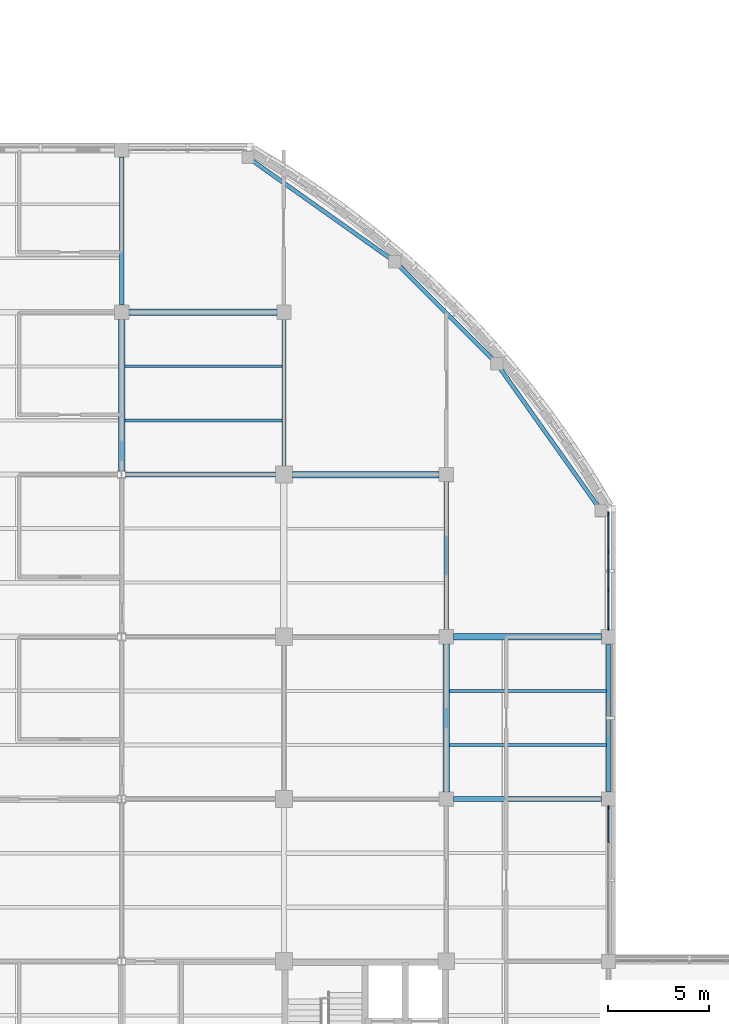
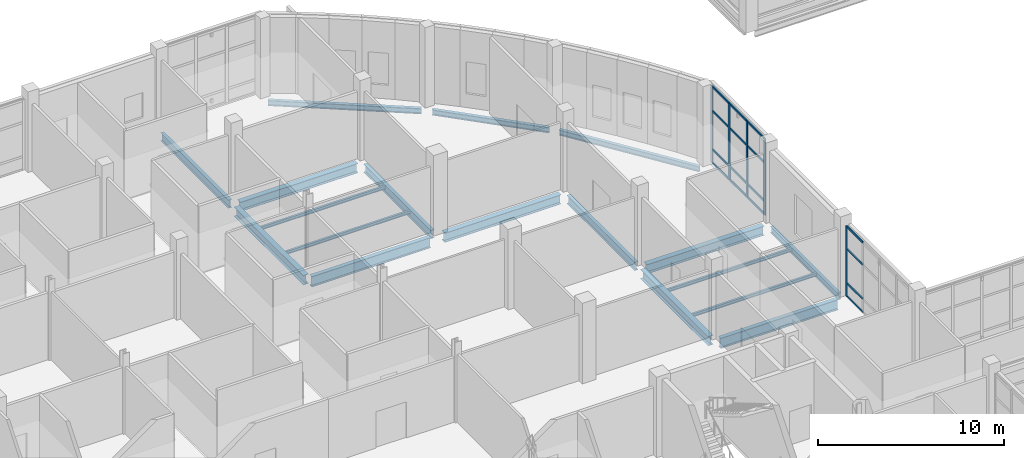
# One storey, part 31 of 105: 21 members, 18 beams, 2 elements without a shape of their own.
"""IFC4 building model written with IfcOpenShell, lengths in metres."""

from ifc_helpers import new_model, si_unit, derived_unit, direction, frame, origin, origin_2d, place, context, subcontext, project, spatial, rectangle, i_section, extrude, material, layer, layer_set, material_profile, profile_set, type_object, element, aggregate, save


model = new_model("IFC4")

# Units and contexts
model_context = context("Model", 3, precision=1e-05, world=origin(), true_north=direction((0.0, 1.0)))
body_context = subcontext(model_context, "Body", "Model", "MODEL_VIEW")
ifc_project = project(units=[si_unit("LENGTHUNIT", "METRE"), si_unit("AREAUNIT", "SQUARE_METRE"), si_unit("VOLUMEUNIT", "CUBIC_METRE"), si_unit("PLANEANGLEUNIT", "RADIAN"), si_unit("MASSUNIT", "GRAM", prefix="KILO"), derived_unit("THERMALTRANSMITTANCEUNIT", [(si_unit("MASSUNIT", "GRAM", prefix="KILO"), 1), (si_unit("TIMEUNIT", "SECOND"), -3), (si_unit("THERMODYNAMICTEMPERATUREUNIT", "KELVIN"), -1)])], contexts=[model_context])

# Site, building, storey
site_placement = place(None, origin())
site = spatial("IfcSite", under=ifc_project, at=site_placement, CompositionType="ELEMENT")
building_placement = place(site_placement, origin())
building = spatial("IfcBuilding", under=site, at=building_placement, Name="Veyamyaing Civic Hall", CompositionType="ELEMENT")
storey_placement = place(building_placement, origin())
storey = spatial("IfcBuildingStorey", under=building, at=storey_placement, Name="L00", CompositionType="ELEMENT", Elevation=0.0)

# Beams
ifc_material_1 = material(Name="Steel ASTM A992", Category="steel")
ifc_material_profile_1 = material_profile(ifc_material_1, i_section(OverallWidth=0.179931640625, OverallDepth=0.4130859375, WebThickness=0.009765625, FlangeThickness=0.01611328125, FilletRadius=0.010009765625, at=origin_2d()), Name="W410X74")
ifc_profile_set_1 = profile_set([ifc_material_profile_1], Name="Steel ASTM A992")
beam_type_1 = type_object("IfcBeamType", Name="B-10", PredefinedType="SPANDREL", material=ifc_profile_set_1)
beam_1_placement = place(storey_placement, frame((120.0, 64.35009765625, -0.471435546875), z_axis=(0.0, 1.0, 0.0), x_axis=(-1.0, 0.0, 0.0)))
element("IfcBeam", 1, at=beam_1_placement, inside=storey, type_object=beam_type_1, Name="Girder B-10 L00 Grid 16 J-K", PredefinedType="SPANDREL", context=body_context, shape_type="SweptSolid", body=[
    extrude(i_section(OverallWidth=0.179931640625, OverallDepth=0.4130859375, WebThickness=0.009765625, FlangeThickness=0.01611328125, FilletRadius=0.010009765625, at=origin_2d()), origin(), (0.0, 0.0, 1.0), 7.2998046875),
])
ifc_material_profile_2 = material_profile(ifc_material_1, i_section(OverallWidth=0.2041015625, OverallDepth=0.35009765625, WebThickness=0.0078125, FlangeThickness=0.01513671875, FilletRadius=0.010009765625, at=origin_2d()), Name="W360X72")
ifc_profile_set_2 = profile_set([ifc_material_profile_2], Name="Steel ASTM A992")
beam_type_2 = type_object("IfcBeamType", Name="B-11", PredefinedType="SPANDREL", material=ifc_profile_set_2)
beam_2_placement = place(storey_placement, frame((119.462646484375, 78.46533203125, -0.449951171875), z_axis=(-0.578662285773, 0.815567262109, 0.0), x_axis=(-0.815567262109, -0.578662285773, 0.0)))
element("IfcBeam", 2, at=beam_2_placement, inside=storey, type_object=beam_type_2, Name="Curved corner spandrel B-11 L00 NE.1", PredefinedType="SPANDREL", context=body_context, shape_type="SweptSolid", body=[
    extrude(i_section(OverallWidth=0.2041015625, OverallDepth=0.35009765625, WebThickness=0.0078125, FlangeThickness=0.01513671875, FilletRadius=0.010009765625, at=origin_2d()), origin(), (0.0, 0.0, 1.0), 8.284423828125),
])
beam_3_placement = place(storey_placement, frame((114.282958984375, 85.6787109375, -0.449951171875), z_axis=(-0.707106781187, 0.707106781187, 0.0), x_axis=(-0.707106781187, -0.707106781187, 0.0)))
element("IfcBeam", 3, at=beam_3_placement, inside=storey, type_object=beam_type_2, Name="Curved corner spandrel B-11 L00 NE.2", PredefinedType="SPANDREL", context=body_context, shape_type="SweptSolid", body=[
    extrude(i_section(OverallWidth=0.2041015625, OverallDepth=0.35009765625, WebThickness=0.0078125, FlangeThickness=0.01513671875, FilletRadius=0.010009765625, at=origin_2d()), origin(), (0.0, 0.0, 1.0), 6.511474609375),
])
beam_4_placement = place(storey_placement, frame((109.221923828125, 90.668701171875, -0.449951171875), z_axis=(-0.815567262109, 0.578662285773, 0.0), x_axis=(-0.578662285773, -0.815567262109, 0.0)))
element("IfcBeam", 4, at=beam_4_placement, inside=storey, type_object=beam_type_2, Name="Curved corner spandrel B-11 L00 NE.3", PredefinedType="SPANDREL", context=body_context, shape_type="SweptSolid", body=[
    extrude(i_section(OverallWidth=0.2041015625, OverallDepth=0.35009765625, WebThickness=0.0078125, FlangeThickness=0.01513671875, FilletRadius=0.010009765625, at=origin_2d()), origin(), (0.0, 0.0, 1.0), 8.284423828125),
])
ifc_material_profile_3 = material_profile(ifc_material_1, i_section(OverallWidth=0.25390625, OverallDepth=0.68408203125, WebThickness=0.012451171875, FlangeThickness=0.01904296875, FilletRadius=0.013916015625, at=origin_2d()), Name="W690X140")
ifc_profile_set_3 = profile_set([ifc_material_profile_3], Name="Steel ASTM A992")
beam_type_3 = type_object("IfcBeamType", Name="B-14", PredefinedType="BEAM", material=ifc_profile_set_3)
beam_5_placement = place(storey_placement, frame((112.35009765625, 64.0, -0.60693359375), z_axis=(1.0, 0.0, 0.0), x_axis=(0.0, 1.0, 0.0)))
element("IfcBeam", 5, at=beam_5_placement, inside=storey, type_object=beam_type_3, Name="Girder B-14 L00 Grid J 15-16", PredefinedType="BEAM", context=body_context, shape_type="SweptSolid", body=[
    extrude(i_section(OverallWidth=0.25390625, OverallDepth=0.68408203125, WebThickness=0.012451171875, FlangeThickness=0.01904296875, FilletRadius=0.013916015625, at=origin_2d()), origin(), (0.0, 0.0, 1.0), 7.2998046875),
])
beam_6_placement = place(storey_placement, frame((96.198974609375, 80.0, -0.60693359375), z_axis=(1.0, 0.0, 0.0), x_axis=(0.0, 1.0, 0.0)))
element("IfcBeam", 6, at=beam_6_placement, inside=storey, type_object=beam_type_3, Name="Girder B-14 L00 Grid L 13-14", PredefinedType="BEAM", context=body_context, shape_type="SweptSolid", body=[
    extrude(i_section(OverallWidth=0.25390625, OverallDepth=0.68408203125, WebThickness=0.012451171875, FlangeThickness=0.01904296875, FilletRadius=0.013916015625, at=origin_2d()), origin(), (0.0, 0.0, 1.0), 7.3759765625),
])
ifc_material_profile_4 = material_profile(ifc_material_1, i_section(OverallWidth=0.324951171875, OverallDepth=0.615966796875, WebThickness=0.013916015625, FlangeThickness=0.021484375, FilletRadius=0.013916015625, at=origin_2d()), Name="W610X174")
ifc_profile_set_4 = profile_set([ifc_material_profile_4], Name="Steel ASTM A992")
beam_type_4 = type_object("IfcBeamType", Name="B-15", PredefinedType="BEAM", material=ifc_profile_set_4)
beam_7_placement = place(storey_placement, frame((112.35009765625, 72.0, -0.572998046875), z_axis=(1.0, 0.0, 0.0), x_axis=(0.0, 1.0, 0.0)))
element("IfcBeam", 7, at=beam_7_placement, inside=storey, type_object=beam_type_4, Name="Girder B-15 L00 Grid K 15-16", PredefinedType="BEAM", context=body_context, shape_type="SweptSolid", body=[
    extrude(i_section(OverallWidth=0.324951171875, OverallDepth=0.615966796875, WebThickness=0.013916015625, FlangeThickness=0.021484375, FilletRadius=0.013916015625, at=origin_2d()), origin(), (0.0, 0.0, 1.0), 7.2998046875),
])
beam_8_placement = place(storey_placement, frame((104.425048828125, 80.0, -0.572998046875), z_axis=(1.0, 0.0, 0.0), x_axis=(0.0, 1.0, 0.0)))
element("IfcBeam", 8, at=beam_8_placement, inside=storey, type_object=beam_type_4, Name="Girder B-15 L00 Grid L 14-15", PredefinedType="BEAM", context=body_context, shape_type="SweptSolid", body=[
    extrude(i_section(OverallWidth=0.324951171875, OverallDepth=0.615966796875, WebThickness=0.013916015625, FlangeThickness=0.021484375, FilletRadius=0.013916015625, at=origin_2d()), origin(), (0.0, 0.0, 1.0), 7.224853515625),
])
beam_9_placement = place(storey_placement, frame((96.35009765625, 88.0, -0.572998046875), z_axis=(1.0, 0.0, 0.0), x_axis=(0.0, 1.0, 0.0)))
element("IfcBeam", 9, at=beam_9_placement, inside=storey, type_object=beam_type_4, Name="Girder B-15 L00 Grid M 13-14", PredefinedType="BEAM", context=body_context, shape_type="SweptSolid", body=[
    extrude(i_section(OverallWidth=0.324951171875, OverallDepth=0.615966796875, WebThickness=0.013916015625, FlangeThickness=0.021484375, FilletRadius=0.013916015625, at=origin_2d()), origin(), (0.0, 0.0, 1.0), 7.2998046875),
])
beam_10_placement = place(storey_placement, frame((96.0, 80.193603515625, -0.572998046875), z_axis=(0.0, 1.0, 0.0), x_axis=(-1.0, 0.0, 0.0)))
element("IfcBeam", 10, at=beam_10_placement, inside=storey, type_object=beam_type_4, Name="Girder B-15 L00 Grid 13 L-M", PredefinedType="BEAM", context=body_context, shape_type="SweptSolid", body=[
    extrude(i_section(OverallWidth=0.324951171875, OverallDepth=0.615966796875, WebThickness=0.013916015625, FlangeThickness=0.021484375, FilletRadius=0.013916015625, at=origin_2d()), origin(), (0.0, 0.0, 1.0), 7.456298828125),
])
beam_11_placement = place(storey_placement, frame((112.0, 64.35009765625, -0.572998046875), z_axis=(0.0, 1.0, 0.0), x_axis=(-1.0, 0.0, 0.0)))
element("IfcBeam", 11, at=beam_11_placement, inside=storey, type_object=beam_type_4, Name="Girder B-15 L00 Grid 15 J-K", PredefinedType="BEAM", context=body_context, shape_type="SweptSolid", body=[
    extrude(i_section(OverallWidth=0.324951171875, OverallDepth=0.615966796875, WebThickness=0.013916015625, FlangeThickness=0.021484375, FilletRadius=0.013916015625, at=origin_2d()), origin(), (0.0, 0.0, 1.0), 7.2998046875),
])
ifc_material_profile_5 = material_profile(ifc_material_1, i_section(OverallWidth=0.214111328125, OverallDepth=0.549072265625, WebThickness=0.0146484375, FlangeThickness=0.023681640625, FilletRadius=0.011962890625, at=origin_2d()), Name="W530X138")
ifc_profile_set_5 = profile_set([ifc_material_profile_5], Name="Steel ASTM A992")
beam_type_5 = type_object("IfcBeamType", Name="B-16", PredefinedType="BEAM", material=ifc_profile_set_5)
beam_12_placement = place(storey_placement, frame((96.0, 88.35009765625, -0.53955078125), z_axis=(0.0, 1.0, 0.0), x_axis=(-1.0, 0.0, 0.0)))
element("IfcBeam", 12, at=beam_12_placement, inside=storey, type_object=beam_type_5, Name="Girder B-16 L00 Grid 13 M-N", PredefinedType="BEAM", context=body_context, shape_type="SweptSolid", body=[
    extrude(i_section(OverallWidth=0.214111328125, OverallDepth=0.549072265625, WebThickness=0.0146484375, FlangeThickness=0.023681640625, FilletRadius=0.011962890625, at=origin_2d()), origin(), (0.0, 0.0, 1.0), 7.2998046875),
])
beam_13_placement = place(storey_placement, frame((104.0, 80.425048828125, -0.53955078125), z_axis=(0.0, 1.0, 0.0), x_axis=(-1.0, 0.0, 0.0)))
element("IfcBeam", 13, at=beam_13_placement, inside=storey, type_object=beam_type_5, Name="Girder B-16 L00 Grid 14 L-M", PredefinedType="BEAM", context=body_context, shape_type="SweptSolid", body=[
    extrude(i_section(OverallWidth=0.214111328125, OverallDepth=0.549072265625, WebThickness=0.0146484375, FlangeThickness=0.023681640625, FilletRadius=0.011962890625, at=origin_2d()), origin(), (0.0, 0.0, 1.0), 7.224853515625),
])
beam_14_placement = place(storey_placement, frame((112.0, 72.35009765625, -0.53955078125), z_axis=(0.0, 1.0, 0.0), x_axis=(-1.0, 0.0, 0.0)))
element("IfcBeam", 14, at=beam_14_placement, inside=storey, type_object=beam_type_5, Name="Girder B-16 L00 Grid 15 K-L", PredefinedType="BEAM", context=body_context, shape_type="SweptSolid", body=[
    extrude(i_section(OverallWidth=0.214111328125, OverallDepth=0.549072265625, WebThickness=0.0146484375, FlangeThickness=0.023681640625, FilletRadius=0.011962890625, at=origin_2d()), origin(), (0.0, 0.0, 1.0), 7.2998046875),
])

# Curtain wall, member
ifc_material_2 = material(Name="Anodised aluminium 6063-T6", Category="aluminium")
ifc_layer = layer(ifc_material_2, 0.179931640625, Name="Anodised aluminium 6063-T6")
ifc_layer_set = layer_set([ifc_layer], Name="Anodised aluminium 6063-T6")
curtain_wall_type = type_object("IfcCurtainWallType", Name="CW-06", PredefinedType="NOTDEFINED", material=ifc_layer_set)
curtain_wall_1_placement = place(storey_placement, origin())
curtain_wall_1 = element("IfcCurtainWall", 15, at=curtain_wall_1_placement, inside=storey, type_object=curtain_wall_type, Name="Unitized curtain wall CW-06 L00 E 15.8", PredefinedType="NOTDEFINED")
ifc_material_profile_6 = material_profile(ifc_material_2, rectangle(XDim=0.06494140625, YDim=0.179931640625, at=origin_2d()), Name="ALU-MUL-65X180")
ifc_profile_set_6 = profile_set([ifc_material_profile_6], Name="Anodised aluminium 6063-T6")
member_type_1 = type_object("IfcMemberType", Name="CWM-02", PredefinedType="MULLION", material=ifc_profile_set_6)
member_1_placement = place(storey_placement, frame((120.0, 63.58740234375, 0.0), z_axis=(0.0, 0.0, 1.0), x_axis=(-1.0, 0.0, 0.0)))
member_1 = element("IfcMember", 16, at=member_1_placement, type_object=member_type_1, Name="CW-06 mullion 5", PredefinedType="MULLION", context=body_context, shape_type="SweptSolid", body=[
    extrude(rectangle(XDim=0.06494140625, YDim=0.179931640625, at=origin_2d()), origin(), (0.0, 0.0, 1.0), 4.614013671875),
])

# Curtain wall, members
curtain_wall_2_placement = place(storey_placement, origin())
curtain_wall_2 = element("IfcCurtainWall", 17, at=curtain_wall_2_placement, inside=storey, type_object=curtain_wall_type, Name="Unitized curtain wall CW-06 L00 E 15.10", PredefinedType="NOTDEFINED")
member_2_placement = place(storey_placement, frame((120.0, 72.41259765625, 0.0), z_axis=(0.0, 0.0, 1.0), x_axis=(-1.0, 0.0, 0.0)))
member_2 = element("IfcMember", 18, at=member_2_placement, type_object=member_type_1, Name="CW-06 mullion 1", PredefinedType="MULLION", context=body_context, shape_type="SweptSolid", body=[
    extrude(rectangle(XDim=0.06494140625, YDim=0.179931640625, at=origin_2d()), origin(), (0.0, 0.0, 1.0), 5.034912109375),
])
member_3_placement = place(storey_placement, frame((120.0, 74.286865234375, 0.0), z_axis=(0.0, 0.0, 1.0), x_axis=(-1.0, 0.0, 0.0)))
member_3 = element("IfcMember", 19, at=member_3_placement, type_object=member_type_1, Name="CW-06 mullion 2", PredefinedType="MULLION", context=body_context, shape_type="SweptSolid", body=[
    extrude(rectangle(XDim=0.06494140625, YDim=0.179931640625, at=origin_2d()), origin(), (0.0, 0.0, 1.0), 5.034912109375),
])
member_4_placement = place(storey_placement, frame((120.0, 76.19384765625, 0.0), z_axis=(0.0, 0.0, 1.0), x_axis=(-1.0, 0.0, 0.0)))
member_4 = element("IfcMember", 20, at=member_4_placement, type_object=member_type_1, Name="CW-06 mullion 3", PredefinedType="MULLION", context=body_context, shape_type="SweptSolid", body=[
    extrude(rectangle(XDim=0.06494140625, YDim=0.179931640625, at=origin_2d()), origin(), (0.0, 0.0, 1.0), 5.034912109375),
])
member_5_placement = place(storey_placement, frame((120.0, 78.068359375, 0.0), z_axis=(0.0, 0.0, 1.0), x_axis=(-1.0, 0.0, 0.0)))
member_5 = element("IfcMember", 21, at=member_5_placement, type_object=member_type_1, Name="CW-06 mullion 4", PredefinedType="MULLION", context=body_context, shape_type="SweptSolid", body=[
    extrude(rectangle(XDim=0.06494140625, YDim=0.179931640625, at=origin_2d()), origin(), (0.0, 0.0, 1.0), 5.034912109375),
])

# Member
ifc_material_profile_7 = material_profile(ifc_material_2, rectangle(XDim=0.06494140625, YDim=0.139892578125, at=origin_2d()), Name="ALU-TRN-65X140")
ifc_profile_set_7 = profile_set([ifc_material_profile_7], Name="Anodised aluminium 6063-T6")
member_type_2 = type_object("IfcMemberType", Name="CWT-02", PredefinedType="USERDEFINED", material=ifc_profile_set_7)
member_6_placement = place(storey_placement, frame((120.0, 61.842529296875, 0.032470703125), z_axis=(0.0, 1.0, 0.0), x_axis=(-1.0, 0.0, 0.0)))
member_6 = element("IfcMember", 22, at=member_6_placement, type_object=member_type_2, Name="CW-06 transom 4.1", ObjectType="TRANSOM", PredefinedType="USERDEFINED", context=body_context, shape_type="SweptSolid", body=[
    extrude(rectangle(XDim=0.06494140625, YDim=0.139892578125, at=origin_2d()), origin(), (0.0, 0.0, 1.0), 1.71240234375),
])

member_7_placement = place(storey_placement, frame((120.0, 61.842529296875, 0.89990234375), z_axis=(0.0, 1.0, 0.0), x_axis=(-1.0, 0.0, 0.0)))
member_7 = element("IfcMember", 23, at=member_7_placement, type_object=member_type_2, Name="CW-06 transom 4.2", ObjectType="TRANSOM", PredefinedType="USERDEFINED", context=body_context, shape_type="SweptSolid", body=[
    extrude(rectangle(XDim=0.06494140625, YDim=0.139892578125, at=origin_2d()), origin(), (0.0, 0.0, 1.0), 1.71240234375),
])

member_8_placement = place(storey_placement, frame((120.0, 61.842529296875, 3.137451171875), z_axis=(0.0, 1.0, 0.0), x_axis=(-1.0, 0.0, 0.0)))
member_8 = element("IfcMember", 24, at=member_8_placement, type_object=member_type_2, Name="CW-06 transom 4.3", ObjectType="TRANSOM", PredefinedType="USERDEFINED", context=body_context, shape_type="SweptSolid", body=[
    extrude(rectangle(XDim=0.06494140625, YDim=0.139892578125, at=origin_2d()), origin(), (0.0, 0.0, 1.0), 1.71240234375),
])

member_9_placement = place(storey_placement, frame((120.0, 61.842529296875, 4.58154296875), z_axis=(0.0, 1.0, 0.0), x_axis=(-1.0, 0.0, 0.0)))
member_9 = element("IfcMember", 25, at=member_9_placement, type_object=member_type_2, Name="CW-06 transom 4.4", ObjectType="TRANSOM", PredefinedType="USERDEFINED", context=body_context, shape_type="SweptSolid", body=[
    extrude(rectangle(XDim=0.06494140625, YDim=0.139892578125, at=origin_2d()), origin(), (0.0, 0.0, 1.0), 1.71240234375),
])

aggregate(curtain_wall_1, [member_1, member_6, member_7, member_8, member_9])

member_10_placement = place(storey_placement, frame((120.0, 72.445068359375, 0.032470703125), z_axis=(0.0, 1.0, 0.0), x_axis=(-1.0, 0.0, 0.0)))
member_10 = element("IfcMember", 26, at=member_10_placement, type_object=member_type_2, Name="CW-06 transom 1.1", ObjectType="TRANSOM", PredefinedType="USERDEFINED", context=body_context, shape_type="SweptSolid", body=[
    extrude(rectangle(XDim=0.06494140625, YDim=0.139892578125, at=origin_2d()), origin(), (0.0, 0.0, 1.0), 1.809326171875),
])

member_11_placement = place(storey_placement, frame((120.0, 72.445068359375, 0.89990234375), z_axis=(0.0, 1.0, 0.0), x_axis=(-1.0, 0.0, 0.0)))
member_11 = element("IfcMember", 27, at=member_11_placement, type_object=member_type_2, Name="CW-06 transom 1.2", ObjectType="TRANSOM", PredefinedType="USERDEFINED", context=body_context, shape_type="SweptSolid", body=[
    extrude(rectangle(XDim=0.06494140625, YDim=0.139892578125, at=origin_2d()), origin(), (0.0, 0.0, 1.0), 1.809326171875),
])

member_12_placement = place(storey_placement, frame((120.0, 72.445068359375, 3.423828125), z_axis=(0.0, 1.0, 0.0), x_axis=(-1.0, 0.0, 0.0)))
member_12 = element("IfcMember", 28, at=member_12_placement, type_object=member_type_2, Name="CW-06 transom 1.3", ObjectType="TRANSOM", PredefinedType="USERDEFINED", context=body_context, shape_type="SweptSolid", body=[
    extrude(rectangle(XDim=0.06494140625, YDim=0.139892578125, at=origin_2d()), origin(), (0.0, 0.0, 1.0), 1.809326171875),
])

member_13_placement = place(storey_placement, frame((120.0, 72.445068359375, 5.00244140625), z_axis=(0.0, 1.0, 0.0), x_axis=(-1.0, 0.0, 0.0)))
member_13 = element("IfcMember", 29, at=member_13_placement, type_object=member_type_2, Name="CW-06 transom 1.4", ObjectType="TRANSOM", PredefinedType="USERDEFINED", context=body_context, shape_type="SweptSolid", body=[
    extrude(rectangle(XDim=0.06494140625, YDim=0.139892578125, at=origin_2d()), origin(), (0.0, 0.0, 1.0), 1.809326171875),
])

member_14_placement = place(storey_placement, frame((120.0, 74.3193359375, 0.032470703125), z_axis=(0.0, 1.0, 0.0), x_axis=(-1.0, 0.0, 0.0)))
member_14 = element("IfcMember", 30, at=member_14_placement, type_object=member_type_2, Name="CW-06 transom 2.1", ObjectType="TRANSOM", PredefinedType="USERDEFINED", context=body_context, shape_type="SweptSolid", body=[
    extrude(rectangle(XDim=0.06494140625, YDim=0.139892578125, at=origin_2d()), origin(), (0.0, 0.0, 1.0), 1.842041015625),
])

member_15_placement = place(storey_placement, frame((120.0, 74.3193359375, 0.89990234375), z_axis=(0.0, 1.0, 0.0), x_axis=(-1.0, 0.0, 0.0)))
member_15 = element("IfcMember", 31, at=member_15_placement, type_object=member_type_2, Name="CW-06 transom 2.2", ObjectType="TRANSOM", PredefinedType="USERDEFINED", context=body_context, shape_type="SweptSolid", body=[
    extrude(rectangle(XDim=0.06494140625, YDim=0.139892578125, at=origin_2d()), origin(), (0.0, 0.0, 1.0), 1.842041015625),
])

member_16_placement = place(storey_placement, frame((120.0, 74.3193359375, 3.423828125), z_axis=(0.0, 1.0, 0.0), x_axis=(-1.0, 0.0, 0.0)))
member_16 = element("IfcMember", 32, at=member_16_placement, type_object=member_type_2, Name="CW-06 transom 2.3", ObjectType="TRANSOM", PredefinedType="USERDEFINED", context=body_context, shape_type="SweptSolid", body=[
    extrude(rectangle(XDim=0.06494140625, YDim=0.139892578125, at=origin_2d()), origin(), (0.0, 0.0, 1.0), 1.842041015625),
])

member_17_placement = place(storey_placement, frame((120.0, 74.3193359375, 5.00244140625), z_axis=(0.0, 1.0, 0.0), x_axis=(-1.0, 0.0, 0.0)))
member_17 = element("IfcMember", 33, at=member_17_placement, type_object=member_type_2, Name="CW-06 transom 2.4", ObjectType="TRANSOM", PredefinedType="USERDEFINED", context=body_context, shape_type="SweptSolid", body=[
    extrude(rectangle(XDim=0.06494140625, YDim=0.139892578125, at=origin_2d()), origin(), (0.0, 0.0, 1.0), 1.842041015625),
])

member_18_placement = place(storey_placement, frame((120.0, 76.226318359375, 0.032470703125), z_axis=(0.0, 1.0, 0.0), x_axis=(-1.0, 0.0, 0.0)))
member_18 = element("IfcMember", 34, at=member_18_placement, type_object=member_type_2, Name="CW-06 transom 3.1", ObjectType="TRANSOM", PredefinedType="USERDEFINED", context=body_context, shape_type="SweptSolid", body=[
    extrude(rectangle(XDim=0.06494140625, YDim=0.139892578125, at=origin_2d()), origin(), (0.0, 0.0, 1.0), 1.8095703125),
])

member_19_placement = place(storey_placement, frame((120.0, 76.226318359375, 0.89990234375), z_axis=(0.0, 1.0, 0.0), x_axis=(-1.0, 0.0, 0.0)))
member_19 = element("IfcMember", 35, at=member_19_placement, type_object=member_type_2, Name="CW-06 transom 3.2", ObjectType="TRANSOM", PredefinedType="USERDEFINED", context=body_context, shape_type="SweptSolid", body=[
    extrude(rectangle(XDim=0.06494140625, YDim=0.139892578125, at=origin_2d()), origin(), (0.0, 0.0, 1.0), 1.8095703125),
])

member_20_placement = place(storey_placement, frame((120.0, 76.226318359375, 3.423828125), z_axis=(0.0, 1.0, 0.0), x_axis=(-1.0, 0.0, 0.0)))
member_20 = element("IfcMember", 36, at=member_20_placement, type_object=member_type_2, Name="CW-06 transom 3.3", ObjectType="TRANSOM", PredefinedType="USERDEFINED", context=body_context, shape_type="SweptSolid", body=[
    extrude(rectangle(XDim=0.06494140625, YDim=0.139892578125, at=origin_2d()), origin(), (0.0, 0.0, 1.0), 1.8095703125),
])

member_21_placement = place(storey_placement, frame((120.0, 76.226318359375, 5.00244140625), z_axis=(0.0, 1.0, 0.0), x_axis=(-1.0, 0.0, 0.0)))
member_21 = element("IfcMember", 37, at=member_21_placement, type_object=member_type_2, Name="CW-06 transom 3.4", ObjectType="TRANSOM", PredefinedType="USERDEFINED", context=body_context, shape_type="SweptSolid", body=[
    extrude(rectangle(XDim=0.06494140625, YDim=0.139892578125, at=origin_2d()), origin(), (0.0, 0.0, 1.0), 1.8095703125),
])

aggregate(curtain_wall_2, [member_2, member_3, member_4, member_5, member_10, member_11, member_12, member_13, member_14, member_15, member_16, member_17, member_18, member_19, member_20, member_21])

# Beams
ifc_material_profile_8 = material_profile(ifc_material_1, i_section(OverallWidth=0.133056640625, OverallDepth=0.20703125, WebThickness=0.005859375, FlangeThickness=0.00830078125, FilletRadius=0.010009765625, at=origin_2d()), Name="W200X27")
ifc_profile_set_8 = profile_set([ifc_material_profile_8], Name="Steel ASTM A992")
beam_type_6 = type_object("IfcBeamType", Name="J-08", PredefinedType="JOIST", material=ifc_profile_set_8)
for number, where, z_axis, x_axis, name in (
    (38, (96.160400390625, 82.666748046875, -0.368408203125), (1.0, 0.0, 0.0), (0.0, 1.0, 0.0), "Composite floor joist J-08 L00 13.11.1"),
    (39, (96.160400390625, 85.333251953125, -0.368408203125), (1.0, 0.0, 0.0), (0.0, 1.0, 0.0), "Composite floor joist J-08 L00 13.11.2"),
):
    element("IfcBeam", number, at=place(storey_placement, frame(where, z_axis=z_axis, x_axis=x_axis)), inside=storey, type_object=beam_type_6, Name=name, PredefinedType="JOIST", context=body_context, shape_type="SweptSolid", body=[
        extrude(i_section(OverallWidth=0.133056640625, OverallDepth=0.20703125, WebThickness=0.005859375, FlangeThickness=0.00830078125, FilletRadius=0.010009765625, at=origin_2d()), origin(), (0.0, 0.0, 1.0), 7.734619140625),
    ])
for number, where, z_axis, x_axis, name in (
    (40, (112.160400390625, 66.666748046875, -0.368408203125), (1.0, 0.0, 0.0), (0.0, 1.0, 0.0), "Composite floor joist J-08 L00 15.9.1"),
    (41, (112.160400390625, 69.333251953125, -0.368408203125), (1.0, 0.0, 0.0), (0.0, 1.0, 0.0), "Composite floor joist J-08 L00 15.9.2"),
):
    element("IfcBeam", number, at=place(storey_placement, frame(where, z_axis=z_axis, x_axis=x_axis)), inside=storey, type_object=beam_type_6, Name=name, PredefinedType="JOIST", context=body_context, shape_type="SweptSolid", body=[
        extrude(i_section(OverallWidth=0.133056640625, OverallDepth=0.20703125, WebThickness=0.005859375, FlangeThickness=0.00830078125, FilletRadius=0.010009765625, at=origin_2d()), origin(), (0.0, 0.0, 1.0), 7.751708984375),
    ])

save(model, "model.ifc")
